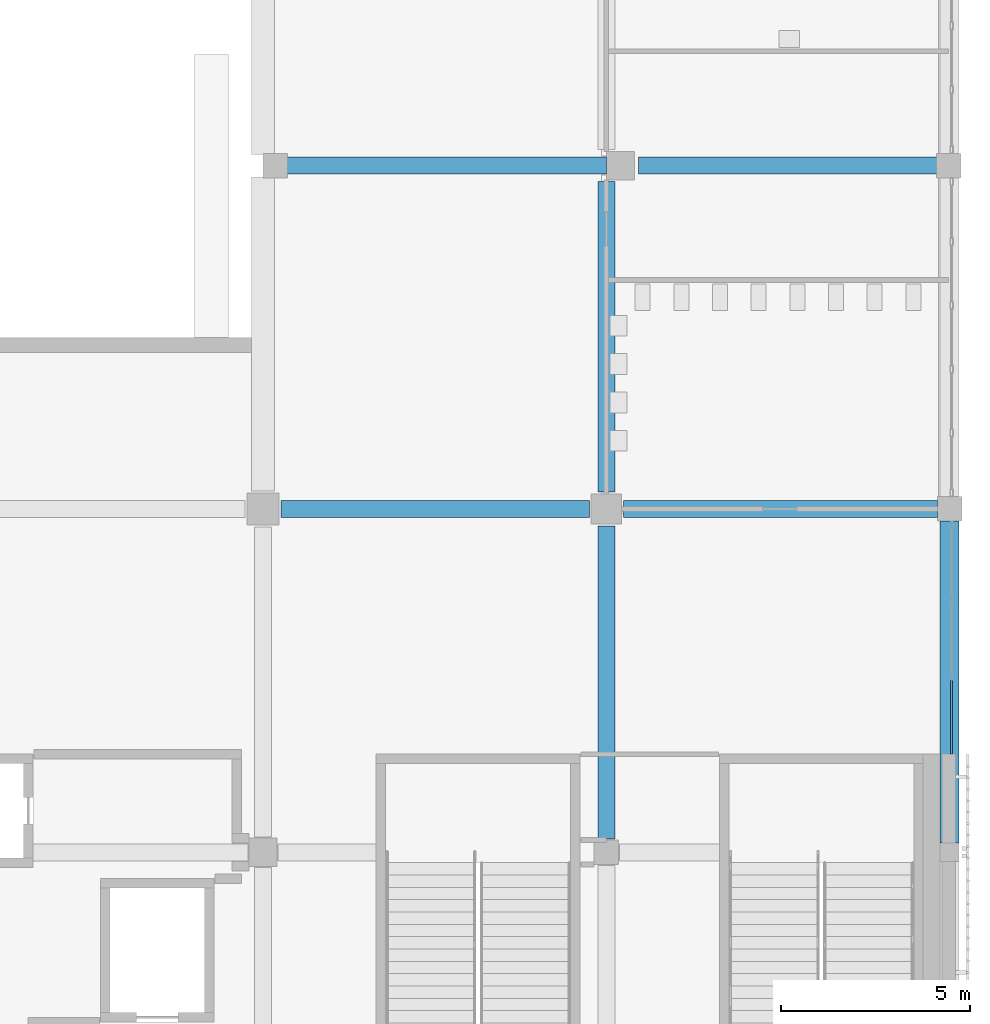
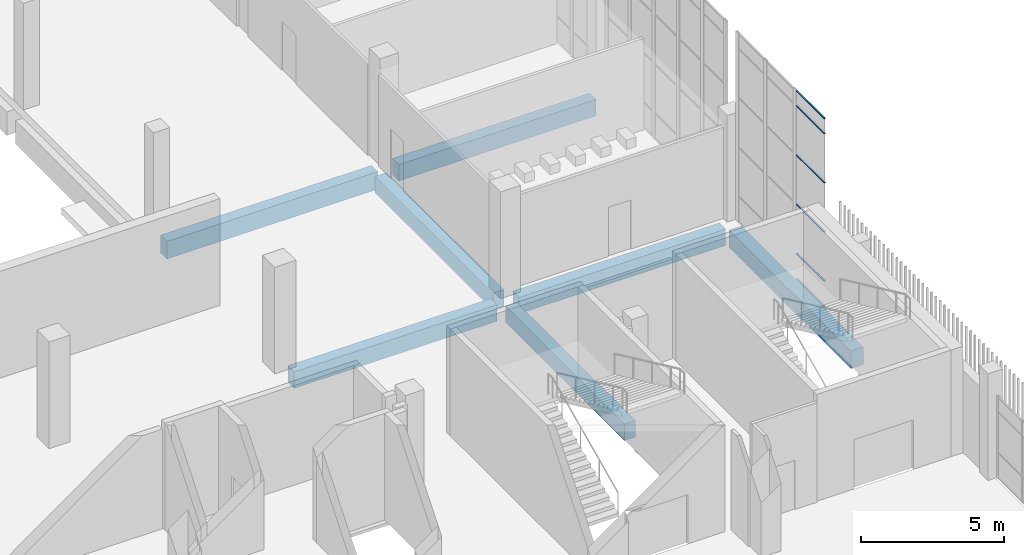
# One storey, part 51 of 126: 7 beams, 6 members, 1 element without a shape of its own.
"""IFC4 building model written with IfcOpenShell, lengths in metres."""

from ifc_helpers import new_model, si_unit, direction, frame, origin, origin_2d, place, context, subcontext, project, spatial, rectangle, hollow_rectangle, extrude, material, layer, layer_set, material_profile, profile_set, type_object, element, aggregate, save


model = new_model("IFC4")

# Units and contexts
model_context = context("Model", 3, precision=1e-05, world=origin(), true_north=direction((0.0, 1.0)))
body_context = subcontext(model_context, "Body", "Model", "MODEL_VIEW")
ifc_project = project(units=[si_unit("LENGTHUNIT", "METRE"), si_unit("AREAUNIT", "SQUARE_METRE"), si_unit("VOLUMEUNIT", "CUBIC_METRE"), si_unit("PLANEANGLEUNIT", "RADIAN"), si_unit("MASSUNIT", "GRAM", prefix="KILO")], contexts=[model_context])

# Site, building, storey
site_placement = place(None, origin())
site = spatial("IfcSite", under=ifc_project, at=site_placement, CompositionType="ELEMENT")
building_placement = place(site_placement, origin())
building = spatial("IfcBuilding", under=site, at=building_placement, Name="Shirokan Park Arena", CompositionType="ELEMENT")
storey_placement = place(building_placement, frame((0.0, 0.0, 6.3701171875)))
storey = spatial("IfcBuildingStorey", under=building, at=storey_placement, Name="L01", CompositionType="ELEMENT", Elevation=6.3701171875)

# Beams
ifc_material_1 = material(Name="Concrete C35", Category="concrete")
ifc_material_profile_1 = material_profile(ifc_material_1, rectangle(XDim=0.449951171875, YDim=0.699951171875, at=origin_2d()), Name="450x700")
ifc_profile_set_1 = profile_set([ifc_material_profile_1], Name="Concrete C35")
beam_type_1 = type_object("IfcBeamType", Name="RC girder 450x700", PredefinedType="BEAM", material=ifc_profile_set_1)
beam_1_placement = place(storey_placement, frame((127.875, 36.39990234375, -0.7001953125), z_axis=(1.0, 0.0, 0.0), x_axis=(0.0, 1.0, 0.0)))
element("IfcBeam", 1, at=beam_1_placement, inside=storey, type_object=beam_type_1, Name="Girder 15E-16E L01", PredefinedType="BEAM", context=body_context, shape_type="SweptSolid", body=[
    extrude(rectangle(XDim=0.449951171875, YDim=0.699951171875, at=origin_2d()), origin(), (0.0, 0.0, 1.0), 8.1748046875),
])
beam_2_placement = place(storey_placement, frame((136.9501953125, 36.39990234375, -0.7001953125), z_axis=(1.0, 0.0, 0.0), x_axis=(0.0, 1.0, 0.0)))
element("IfcBeam", 2, at=beam_2_placement, inside=storey, type_object=beam_type_1, Name="Girder 16E-17E L01", PredefinedType="BEAM", context=body_context, shape_type="SweptSolid", body=[
    extrude(rectangle(XDim=0.449951171875, YDim=0.699951171875, at=origin_2d()), origin(), (0.0, 0.0, 1.0), 8.32470703125),
])
beam_3_placement = place(storey_placement, frame((137.35009765625, 45.5, -0.7001953125), z_axis=(1.0, 0.0, 0.0), x_axis=(0.0, 1.0, 0.0)))
element("IfcBeam", 3, at=beam_3_placement, inside=storey, type_object=beam_type_1, Name="Girder 16F-17F L01", PredefinedType="BEAM", context=body_context, shape_type="SweptSolid", body=[
    extrude(rectangle(XDim=0.449951171875, YDim=0.699951171875, at=origin_2d()), origin(), (0.0, 0.0, 1.0), 7.94970703125),
])
beam_4_placement = place(storey_placement, frame((136.5, 27.650146484375, -0.7001953125), z_axis=(0.0, 1.0, 0.0), x_axis=(-1.0, 0.0, 0.0)))
element("IfcBeam", 4, at=beam_4_placement, inside=storey, type_object=beam_type_1, Name="Girder 16D-16E L01", PredefinedType="BEAM", context=body_context, shape_type="SweptSolid", body=[
    extrude(rectangle(XDim=0.449951171875, YDim=0.699951171875, at=origin_2d()), origin(), (0.0, 0.0, 1.0), 8.2998046875),
])
beam_5_placement = place(storey_placement, frame((136.5, 36.85009765625, -0.7001953125), z_axis=(0.0, 1.0, 0.0), x_axis=(-1.0, 0.0, 0.0)))
element("IfcBeam", 5, at=beam_5_placement, inside=storey, type_object=beam_type_1, Name="Girder 16E-16F L01", PredefinedType="BEAM", context=body_context, shape_type="SweptSolid", body=[
    extrude(rectangle(XDim=0.449951171875, YDim=0.699951171875, at=origin_2d()), origin(), (0.0, 0.0, 1.0), 8.224853515625),
])
ifc_material_profile_2 = material_profile(ifc_material_1, rectangle(XDim=0.449951171875, YDim=0.75, at=origin_2d()), Name="450x750")
ifc_profile_set_2 = profile_set([ifc_material_profile_2], Name="Concrete C35")
beam_type_2 = type_object("IfcBeamType", Name="RC girder 450x750", PredefinedType="BEAM", material=ifc_profile_set_2)
beam_6_placement = place(storey_placement, frame((128.0, 45.5, -0.72509765625), z_axis=(1.0, 0.0, 0.0), x_axis=(0.0, 1.0, 0.0)))
element("IfcBeam", 6, at=beam_6_placement, inside=storey, type_object=beam_type_2, Name="Girder 15F-16F L01", PredefinedType="BEAM", context=body_context, shape_type="SweptSolid", body=[
    extrude(rectangle(XDim=0.449951171875, YDim=0.75, at=origin_2d()), origin(), (0.0, 0.0, 1.0), 8.5),
])
ifc_material_profile_3 = material_profile(ifc_material_1, rectangle(XDim=0.5, YDim=0.75, at=origin_2d()), Name="500x750")
ifc_profile_set_3 = profile_set([ifc_material_profile_3], Name="Concrete C35")
beam_type_3 = type_object("IfcBeamType", Name="RC girder 500x750", PredefinedType="BEAM", material=ifc_profile_set_3)
beam_7_placement = place(storey_placement, frame((145.60009765625, 27.550048828125, -0.72509765625), z_axis=(0.0, 1.0, 0.0), x_axis=(-1.0, 0.0, 0.0)))
element("IfcBeam", 7, at=beam_7_placement, inside=storey, type_object=beam_type_3, Name="Girder 17D-17E L01", PredefinedType="BEAM", context=body_context, shape_type="SweptSolid", body=[
    extrude(rectangle(XDim=0.5, YDim=0.75, at=origin_2d()), origin(), (0.0, 0.0, 1.0), 8.52490234375),
])

# Curtain wall, members
ifc_material_2 = material(Name="Steel and glass curtain wall", Category="steel")
ifc_layer = layer(ifc_material_2, 0.199951171875)
ifc_layer_set = layer_set([ifc_layer], Name="Steel and glass curtain wall 200 mm")
curtain_wall_type = type_object("IfcCurtainWallType", Name="Curtain wall hall bay 200", PredefinedType="NOTDEFINED", material=ifc_layer_set)
curtain_wall_placement = place(storey_placement, origin())
curtain_wall = element("IfcCurtainWall", 8, at=curtain_wall_placement, inside=storey, type_object=curtain_wall_type, Name="Curtain wall east bay 4 L01", PredefinedType="NOTDEFINED")
ifc_material_3 = material(Name="Steel S355", Category="steel")
ifc_material_profile_4 = material_profile(ifc_material_3, hollow_rectangle(XDim=0.06005859375, YDim=0.0400390625, WallThickness=0.00390625, at=origin_2d()), Name="RHS 60x40x4")
ifc_profile_set_4 = profile_set([ifc_material_profile_4], Name="Steel S355")
member_type = type_object("IfcMemberType", Name="Transom RHS 60x40x4", PredefinedType="MULLION", material=ifc_profile_set_4)
member_1_placement = place(storey_placement, frame((145.64990234375, 29.89990234375, 0.019775390625), z_axis=(0.0, 1.0, 0.0), x_axis=(-1.0, 0.0, 0.0)))
member_1 = element("IfcMember", 9, at=member_1_placement, type_object=member_type, Name="CW5 transom 1.1", PredefinedType="MULLION", context=body_context, shape_type="SweptSolid", body=[
    extrude(hollow_rectangle(XDim=0.06005859375, YDim=0.0400390625, WallThickness=0.00390625, at=origin_2d()), origin(), (0.0, 0.0, 1.0), 1.95849609375),
])
member_2_placement = place(storey_placement, frame((145.64990234375, 29.89990234375, 1.099853515625), z_axis=(0.0, 1.0, 0.0), x_axis=(-1.0, 0.0, 0.0)))
member_2 = element("IfcMember", 10, at=member_2_placement, type_object=member_type, Name="CW5 transom 1.2", PredefinedType="MULLION", context=body_context, shape_type="SweptSolid", body=[
    extrude(hollow_rectangle(XDim=0.06005859375, YDim=0.0400390625, WallThickness=0.00390625, at=origin_2d()), origin(), (0.0, 0.0, 1.0), 1.95849609375),
])
member_3_placement = place(storey_placement, frame((145.64990234375, 29.89990234375, 3.199951171875), z_axis=(0.0, 1.0, 0.0), x_axis=(-1.0, 0.0, 0.0)))
member_3 = element("IfcMember", 11, at=member_3_placement, type_object=member_type, Name="CW5 transom 1.3", PredefinedType="MULLION", context=body_context, shape_type="SweptSolid", body=[
    extrude(hollow_rectangle(XDim=0.06005859375, YDim=0.0400390625, WallThickness=0.00390625, at=origin_2d()), origin(), (0.0, 0.0, 1.0), 1.95849609375),
])
member_4_placement = place(storey_placement, frame((145.64990234375, 29.89990234375, 5.2998046875), z_axis=(0.0, 1.0, 0.0), x_axis=(-1.0, 0.0, 0.0)))
member_4 = element("IfcMember", 12, at=member_4_placement, type_object=member_type, Name="CW5 transom 1.4", PredefinedType="MULLION", context=body_context, shape_type="SweptSolid", body=[
    extrude(hollow_rectangle(XDim=0.06005859375, YDim=0.0400390625, WallThickness=0.00390625, at=origin_2d()), origin(), (0.0, 0.0, 1.0), 1.95849609375),
])
member_5_placement = place(storey_placement, frame((145.64990234375, 29.89990234375, 7.39990234375), z_axis=(0.0, 1.0, 0.0), x_axis=(-1.0, 0.0, 0.0)))
member_5 = element("IfcMember", 13, at=member_5_placement, type_object=member_type, Name="CW5 transom 1.5", PredefinedType="MULLION", context=body_context, shape_type="SweptSolid", body=[
    extrude(hollow_rectangle(XDim=0.06005859375, YDim=0.0400390625, WallThickness=0.00390625, at=origin_2d()), origin(), (0.0, 0.0, 1.0), 1.95849609375),
])
member_6_placement = place(storey_placement, frame((145.64990234375, 29.89990234375, 8.02978515625), z_axis=(0.0, 1.0, 0.0), x_axis=(-1.0, 0.0, 0.0)))
member_6 = element("IfcMember", 14, at=member_6_placement, type_object=member_type, Name="CW5 transom 1.6", PredefinedType="MULLION", context=body_context, shape_type="SweptSolid", body=[
    extrude(hollow_rectangle(XDim=0.06005859375, YDim=0.0400390625, WallThickness=0.00390625, at=origin_2d()), origin(), (0.0, 0.0, 1.0), 1.95849609375),
])
aggregate(curtain_wall, [member_1, member_2, member_3, member_4, member_5, member_6])

save(model, "model.ifc")
